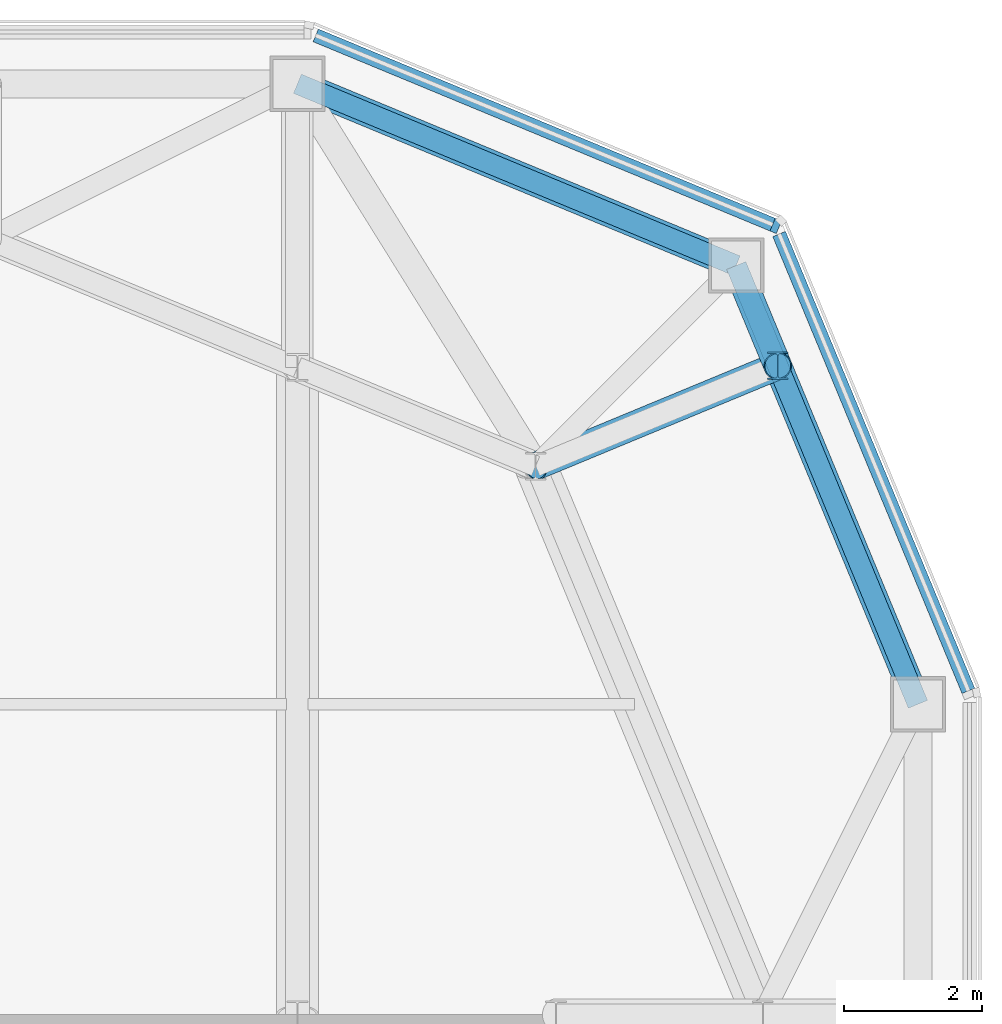
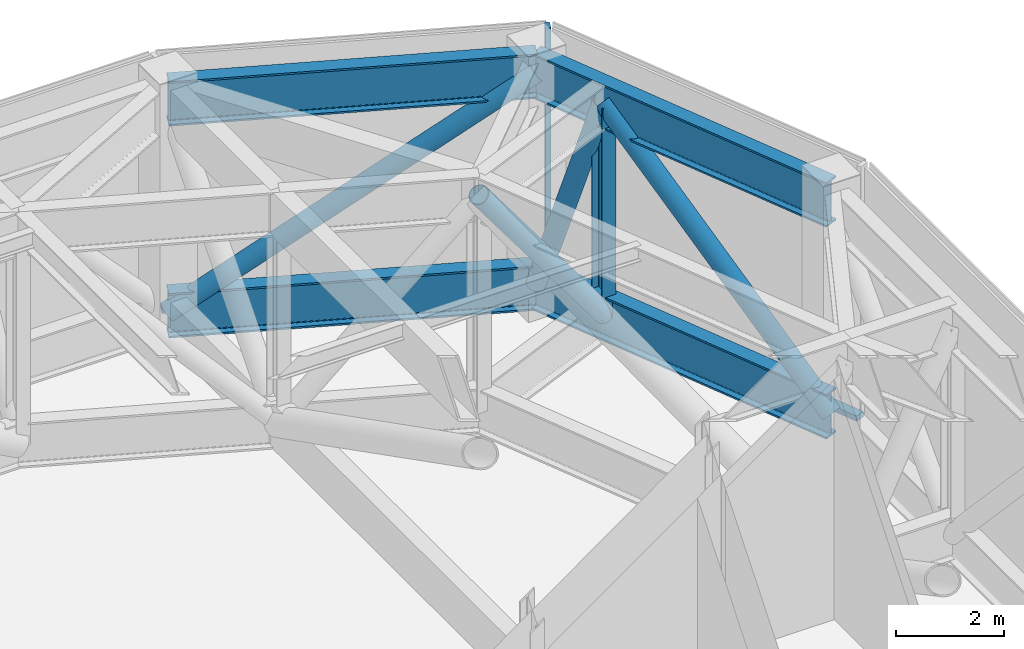
# One storey, part 9 of 21: 8 members, 4 beams, 2 elements without a shape of their own.
"""IFC4 building model written with IfcOpenShell, lengths in metres."""

from ifc_helpers import new_model, si_unit, direction, frame, origin, origin_2d, place, context, subcontext, project, spatial, rectangle, hollow_circle, i_section, extrude, material, layer, layer_set, material_profile, profile_set, type_object, element, aggregate, save


model = new_model("IFC4")

# Units and contexts
model_context = context("Model", 3, precision=1e-05, world=origin(), true_north=direction((0.0, 1.0)))
body_context = subcontext(model_context, "Body", "Model", "MODEL_VIEW")
ifc_project = project(units=[si_unit("LENGTHUNIT", "METRE"), si_unit("AREAUNIT", "SQUARE_METRE"), si_unit("VOLUMEUNIT", "CUBIC_METRE"), si_unit("PLANEANGLEUNIT", "RADIAN"), si_unit("MASSUNIT", "GRAM", prefix="KILO")], contexts=[model_context])

# Site, building, storey
site_placement = place(None, origin())
site = spatial("IfcSite", under=ifc_project, at=site_placement, CompositionType="ELEMENT")
building_placement = place(site_placement, origin())
building = spatial("IfcBuilding", under=site, at=building_placement, Name="Siwar Civic Tower", CompositionType="ELEMENT")
storey_placement = place(building_placement, frame((0.0, 0.0, 278.199951171875)))
storey = spatial("IfcBuildingStorey", under=building, at=storey_placement, Name="L60", CompositionType="ELEMENT", Elevation=278.199951171875)

# Curtain wall, member
ifc_material_1 = material(Name="Aluminium and glass", Category="aluminium")
ifc_layer = layer(ifc_material_1, 0.199951171875)
ifc_layer_set = layer_set([ifc_layer], Name="Aluminium and glass")
curtain_wall_type = type_object("IfcCurtainWallType", Name="ENV-CW-P", PredefinedType="NOTDEFINED", material=ifc_layer_set)
curtain_wall_1_placement = place(storey_placement, origin())
curtain_wall_1 = element("IfcCurtainWall", 1, at=curtain_wall_1_placement, inside=storey, type_object=curtain_wall_type, Name="Curtain wall P NE2", PredefinedType="NOTDEFINED")
ifc_material_2 = material(Name="Aluminium 6063-T6", Category="aluminium")
ifc_material_profile_1 = material_profile(ifc_material_2, rectangle(XDim=0.199951171875, YDim=0.10009765625, at=origin_2d()), Name="AL 200x100")
ifc_profile_set_1 = profile_set([ifc_material_profile_1], Name="Aluminium 6063-T6")
member_type_1 = type_object("IfcMemberType", Name="ENV-MULLION-P", PredefinedType="MULLION", material=ifc_profile_set_1)
member_1_placement = place(storey_placement, frame((24.93798828125, 24.93798828125, 0.0), z_axis=(0.0, 0.0, 1.0), x_axis=(-0.382683432365, -0.923879532511, 0.0)))
member_1 = element("IfcMember", 2, at=member_1_placement, type_object=member_type_1, Name="Mullion P NE2 1", PredefinedType="MULLION", context=body_context, shape_type="SweptSolid", body=[
    extrude(rectangle(XDim=0.199951171875, YDim=0.10009765625, at=origin_2d()), origin(), (0.0, 0.0, 1.0), 5.800048828125),
])

curtain_wall_2_placement = place(storey_placement, origin())
curtain_wall_2 = element("IfcCurtainWall", 3, at=curtain_wall_2_placement, inside=storey, type_object=curtain_wall_type, Name="Curtain wall P NE1", PredefinedType="NOTDEFINED")
ifc_material_3 = material(Name="Aluminium 6063-T6", Category="aluminium")
ifc_material_profile_2 = material_profile(ifc_material_3, rectangle(XDim=0.199951171875, YDim=0.1201171875, at=origin_2d()), Name="AL 200x120")
ifc_profile_set_2 = profile_set([ifc_material_profile_2], Name="Aluminium 6063-T6")
member_type_2 = type_object("IfcMemberType", Name="ENV-TRANSOM-P", PredefinedType="USERDEFINED", material=ifc_profile_set_2)
member_2_placement = place(storey_placement, frame((27.73095703125, 18.1953125, 0.06005859375), z_axis=(-0.382678484395, 0.923881582012, 0.0), x_axis=(-0.923881582012, -0.382678484395, 0.0)))
member_2 = element("IfcMember", 4, at=member_2_placement, type_object=member_type_2, Name="Transom P NE1 1", ObjectType="TRANSOM", PredefinedType="USERDEFINED", context=body_context, shape_type="SweptSolid", body=[
    extrude(rectangle(XDim=0.199951171875, YDim=0.1201171875, at=origin_2d()), origin(), (0.0, 0.0, 1.0), 7.172119140625),
])
aggregate(curtain_wall_2, [member_2])

# Member
member_3_placement = place(storey_placement, frame((24.891845703125, 24.95703125, 0.06005859375), z_axis=(-0.923881582012, 0.382678484395, 0.0), x_axis=(-0.382678484395, -0.923881582012, 0.0)))
member_3 = element("IfcMember", 5, at=member_3_placement, type_object=member_type_2, Name="Transom P NE2 1", ObjectType="TRANSOM", PredefinedType="USERDEFINED", context=body_context, shape_type="SweptSolid", body=[
    extrude(rectangle(XDim=0.199951171875, YDim=0.1201171875, at=origin_2d()), origin(), (0.0, 0.0, 1.0), 7.172119140625),
])

aggregate(curtain_wall_1, [member_1, member_3])

# Beams
ifc_material_4 = material(Name="Steel S460", Category="steel")
ifc_material_profile_3 = material_profile(ifc_material_4, i_section(OverallWidth=0.302001953125, OverallDepth=1.008056640625, WebThickness=0.02099609375, FlangeThickness=0.0400390625, FilletRadius=0.030029296875, at=origin_2d()), Name="HEM1000")
ifc_profile_set_3 = profile_set([ifc_material_profile_3], Name="Steel S460")
beam_type = type_object("IfcBeamType", Name="STR-BELT-TRUSS-CHORD-HEM1000", PredefinedType="BEAM", material=ifc_profile_set_3)
for number, where, z_axis, x_axis, name in (
    (6, (27.0, 18.0, 0.504150390625), (-0.382674207535, 0.923883353507, 0.0), (-0.923883353507, -0.382674207535, 0.0), "Belt truss chord"),
    (7, (27.0, 18.0, 5.296142578125), (-0.382674207535, 0.923883353507, 0.0), (-0.923883353507, -0.382674207535, 0.0), "Belt truss chord"),
    (8, (24.364013671875, 24.364013671875, 0.504150390625), (-0.923883353507, 0.382674207535, 0.0), (-0.382674207535, -0.923883353507, 0.0), "Belt truss chord"),
    (9, (24.364013671875, 24.364013671875, 5.296142578125), (-0.923883353507, 0.382674207535, 0.0), (-0.382674207535, -0.923883353507, 0.0), "Belt truss chord"),
):
    element("IfcBeam", number, at=place(storey_placement, frame(where, z_axis=z_axis, x_axis=x_axis)), inside=storey, type_object=beam_type, Name=name, PredefinedType="BEAM", context=body_context, shape_type="SweptSolid", body=[
        extrude(i_section(OverallWidth=0.302001953125, OverallDepth=1.008056640625, WebThickness=0.02099609375, FlangeThickness=0.0400390625, FilletRadius=0.030029296875, at=origin_2d()), origin(), (0.0, 0.0, 1.0), 6.888427734375),
    ])

# Members
ifc_material_5 = material(Name="Steel S355", Category="steel")
ifc_material_profile_4 = material_profile(ifc_material_5, hollow_circle(Radius=0.203125, WallThickness=0.01611328125, at=origin_2d()), Name="CHS406.4x16")
ifc_profile_set_4 = profile_set([ifc_material_profile_4], Name="Steel S355")
member_type_3 = type_object("IfcMemberType", Name="STR-BELT-TRUSS-DIAGONAL-CHS406.4x16", PredefinedType="BRACE", material=ifc_profile_set_4)
member_4_placement = place(storey_placement, frame((27.00146484375, 17.99658203125, 0.500732421875), z_axis=(-0.284196149478, 0.686111720661, 0.669688924348), x_axis=(-0.923879832688, -0.382682707675, 0.0)))
element("IfcMember", 10, at=member_4_placement, inside=storey, type_object=member_type_3, Name="Belt truss diagonal", PredefinedType="BRACE", context=body_context, shape_type="SweptSolid", body=[
    extrude(hollow_circle(Radius=0.203125, WallThickness=0.01611328125, at=origin_2d()), origin(), (0.0, 0.0, 1.0), 7.165283203125),
])
member_5_placement = place(storey_placement, frame((24.36328125, 24.365478515625, 0.499267578125), z_axis=(0.119460581457, -0.288386442093, 0.950032857061), x_axis=(0.92387159711, 0.382702589557, 0.0)))
element("IfcMember", 11, at=member_5_placement, inside=storey, type_object=member_type_3, Name="Belt truss diagonal", PredefinedType="BRACE", context=body_context, shape_type="SweptSolid", body=[
    extrude(hollow_circle(Radius=0.203125, WallThickness=0.01611328125, at=origin_2d()), origin(), (0.0, 0.0, 1.0), 5.053955078125),
])
member_6_placement = place(storey_placement, frame((17.99609375, 27.00146484375, 0.501220703125), z_axis=(0.758418164088, -0.314142859752, 0.571065803606), x_axis=(0.38267903437, 0.923881354208, 0.0)))
element("IfcMember", 12, at=member_6_placement, inside=storey, type_object=member_type_3, Name="Belt truss diagonal", PredefinedType="BRACE", context=body_context, shape_type="SweptSolid", body=[
    extrude(hollow_circle(Radius=0.203125, WallThickness=0.01611328125, at=origin_2d()), origin(), (0.0, 0.0, 1.0), 8.401123046875),
])
member_7_placement = place(storey_placement, frame((24.96923828125, 22.91064453125, 0.500244140625), z_axis=(-0.574106667856, -0.237796368673, 0.783488622106), x_axis=(0.382674642233, -0.923883173454, 0.0)))
element("IfcMember", 13, at=member_7_placement, inside=storey, type_object=member_type_3, Name="Belt truss diagonal", PredefinedType="BRACE", context=body_context, shape_type="SweptSolid", body=[
    extrude(hollow_circle(Radius=0.203125, WallThickness=0.01611328125, at=origin_2d()), origin(), (0.0, 0.0, 1.0), 6.126220703125),
])
ifc_material_6 = material(Name="Steel S355", Category="steel")
ifc_material_profile_5 = material_profile(ifc_material_6, i_section(OverallWidth=0.300048828125, OverallDepth=0.39990234375, WebThickness=0.013427734375, FlangeThickness=0.02392578125, FilletRadius=0.027099609375, at=origin_2d()), Name="HEB400")
ifc_profile_set_5 = profile_set([ifc_material_profile_5], Name="Steel S355")
member_type_4 = type_object("IfcMemberType", Name="STR-BELT-TRUSS-POST-HEB400", PredefinedType="POST", material=ifc_profile_set_5)
member_8_placement = place(storey_placement, frame((24.966552734375, 22.909423828125, 0.504150390625), z_axis=(0.0, 0.0, 1.0), x_axis=(1.0, 0.0, 0.0)))
element("IfcMember", 14, at=member_8_placement, inside=storey, type_object=member_type_4, Name="Belt truss post", PredefinedType="POST", context=body_context, shape_type="SweptSolid", body=[
    extrude(i_section(OverallWidth=0.300048828125, OverallDepth=0.39990234375, WebThickness=0.013427734375, FlangeThickness=0.02392578125, FilletRadius=0.027099609375, at=origin_2d()), origin(), (0.0, 0.0, 1.0), 4.7919921875),
])

save(model, "model.ifc")
